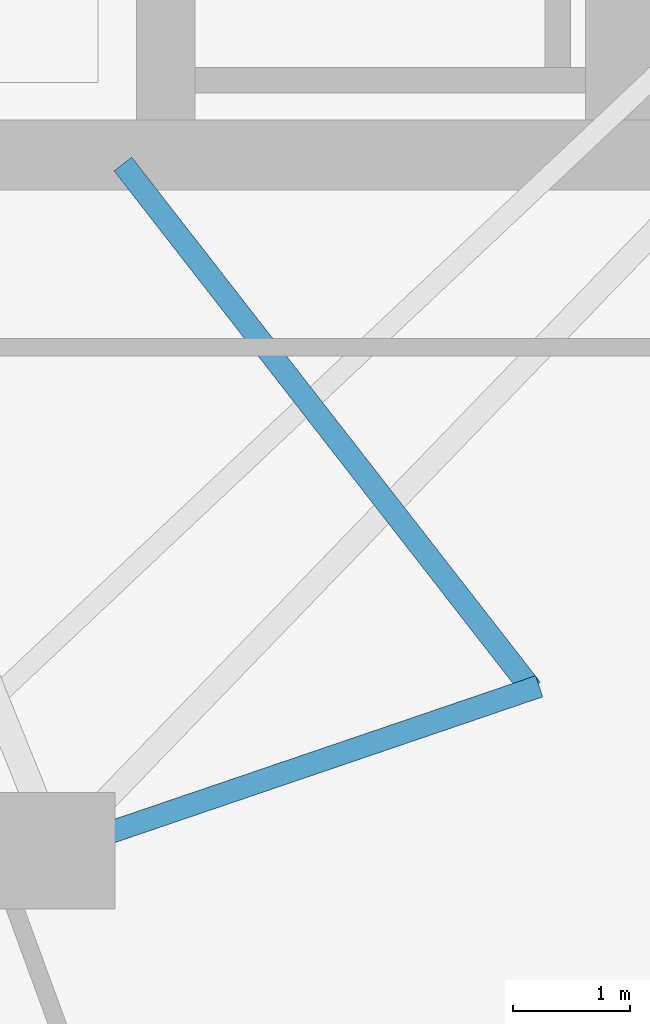
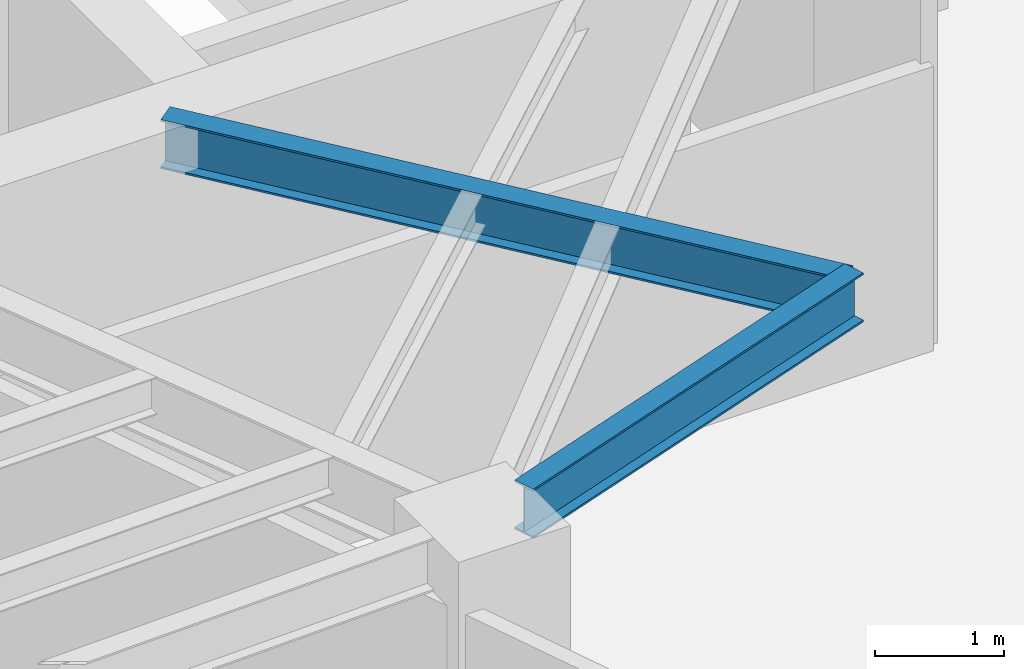
# One storey, part 5 of 21: 2 beams.
"""IFC4 building model written with IfcOpenShell, lengths in metres."""

import ifcopenshell
import ifcopenshell.guid

model = None  # the IFC model being written
_history = None  # IfcOwnerHistory: only IFC2X3 demands one
_inside = {}  # id of a spatial element -> (the spatial element, [elements in it])
_under = {}  # id of a project, library or spatial element -> (it, [spatial elements below it])
_declared = {}  # id of a project -> (the project, [libraries it declares])
_typed = {}  # id of a type object -> (the type object, [elements of that type])
_made_of = {}  # id of a material, layer set ... -> (it, [elements and type objects made of it])


def new_model(schema):
    """Start an empty IFC model of exactly this schema.

    Asked for "IFC4X3", IfcOpenShell would pick the latest addendum, in which some entities
    have other attributes; the version numbers below select the first issue.
    IFC2X3 requires an IfcOwnerHistory on every rooted entity: one is made here for all.
    """
    global model, _history
    if schema == "IFC4X3":
        model = ifcopenshell.file(schema_version=(4, 3, 0, 0))
    else:
        model = ifcopenshell.file(schema=schema)
    _inside.clear()
    _under.clear()
    _declared.clear()
    _typed.clear()
    _made_of.clear()
    _history = None
    if model.schema == "IFC2X3":
        org = make("IfcOrganization", Name="unknown")
        user = make(
            "IfcPersonAndOrganization",
            ThePerson=make("IfcPerson", FamilyName="unknown"),
            TheOrganization=org,
        )
        app = make(
            "IfcApplication",
            ApplicationDeveloper=org,
            Version="unknown",
            ApplicationFullName="unknown",
            ApplicationIdentifier="unknown",
        )
        _history = make(
            "IfcOwnerHistory",
            OwningUser=user,
            OwningApplication=app,
            ChangeAction="ADDED",
            CreationDate=0,
        )
    return model


def make(cls, **values):
    """One entity of the class cls with the attributes given. An attribute that is None is left unset."""
    return model.create_entity(
        cls, **{name: value for name, value in values.items() if value is not None}
    )


def rooted(cls, **values):
    """An entity with a GlobalId (a new one), such as an element, a storey or a relation."""
    return make(cls, GlobalId=ifcopenshell.guid.new(), OwnerHistory=_history, **values)


def si_unit(unit_type, name, prefix=None):
    """IfcSIUnit, for example si_unit("LENGTHUNIT", "METRE", prefix="MILLI")."""
    return make("IfcSIUnit", UnitType=unit_type, Prefix=prefix, Name=name)


def assignment(units):
    """IfcUnitAssignment: the units of a project."""
    return None if units is None else make("IfcUnitAssignment", Units=units)


def point(xyz):
    """IfcCartesianPoint."""
    return None if xyz is None else make("IfcCartesianPoint", Coordinates=xyz)


def direction(xyz):
    """IfcDirection."""
    return None if xyz is None else make("IfcDirection", DirectionRatios=xyz)


def frame(location, z_axis=None, x_axis=None):
    """IfcAxis2Placement3D, a coordinate frame: its origin and axes. An axis left out is left unset."""
    return make(
        "IfcAxis2Placement3D",
        Location=point(location),
        Axis=direction(z_axis),
        RefDirection=direction(x_axis),
    )


def frame_2d(location, x_axis=None):
    """IfcAxis2Placement2D, a coordinate frame in the plane: its origin and x axis."""
    return make(
        "IfcAxis2Placement2D", Location=point(location), RefDirection=direction(x_axis)
    )


def origin():
    """The frame at (0, 0, 0) with its axes left unset."""
    return frame((0.0, 0.0, 0.0))


def origin_2d():
    """The frame at (0, 0) in the plane with its x axis left unset."""
    return frame_2d((0.0, 0.0))


def place(relative_to, where):
    """IfcLocalPlacement: puts the frame where relative to a parent placement (None: the world)."""
    return make(
        "IfcLocalPlacement", PlacementRelTo=relative_to, RelativePlacement=where
    )


def context(
    kind, dimensions, precision=None, world=None, true_north=None, identifier=None
):
    """IfcGeometricRepresentationContext, for example the 3D "Model" context."""
    return make(
        "IfcGeometricRepresentationContext",
        ContextIdentifier=identifier,
        ContextType=kind,
        CoordinateSpaceDimension=dimensions,
        Precision=precision,
        WorldCoordinateSystem=world,
        TrueNorth=true_north,
    )


def subcontext(parent, identifier, kind, view, scale=None):
    """IfcGeometricRepresentationSubContext, for example "Body" below "Model"."""
    return make(
        "IfcGeometricRepresentationSubContext",
        ContextIdentifier=identifier,
        ContextType=kind,
        ParentContext=parent,
        TargetScale=scale,
        TargetView=view,
    )


def project(units=None, contexts=None):
    """IfcProject with its units and contexts."""
    return rooted(
        "IfcProject",
        Name="project",
        RepresentationContexts=contexts,
        UnitsInContext=assignment(units),
    )


def spatial(cls, under=None, at=None, **own):
    """A site, building, storey or space (cls), placed at a placement, below another one or the project."""
    s = rooted(cls, ObjectPlacement=at, **own)
    if under is not None:
        _under.setdefault(under.id(), (under, []))[1].append(s)
    return s


def profile(cls, at=None, kind="AREA", **sizes):
    """A parametric profile (cls). Its sizes go by their IFC names, for example OverallWidth=200.0."""
    return make(cls, ProfileType=kind, Position=at, **sizes)


def i_section(**sizes):
    """IfcIShapeProfileDef."""
    return profile("IfcIShapeProfileDef", **sizes)


def extrude(swept, where, along, depth):
    """IfcExtrudedAreaSolid: the profile swept, set in the frame where, extruded along a direction by depth."""
    return make(
        "IfcExtrudedAreaSolid",
        SweptArea=swept,
        Position=where,
        ExtrudedDirection=direction(along),
        Depth=depth,
    )


def shape(context_of_items, identifier, shape_type, items):
    """IfcShapeRepresentation: the items that make up one representation, for example the "Body"."""
    return make(
        "IfcShapeRepresentation",
        ContextOfItems=context_of_items,
        RepresentationIdentifier=identifier,
        RepresentationType=shape_type,
        Items=items,
    )


def material(Name=None, Category=None):
    """IfcMaterial."""
    return make("IfcMaterial", Name=Name, Category=Category)


def material_profile(
    of_material, cross_section, Name=None, Category=None, Priority=None
):
    """IfcMaterialProfile: a cross section and its material."""
    return make(
        "IfcMaterialProfile",
        Name=Name,
        Material=of_material,
        Profile=cross_section,
        Priority=Priority,
        Category=Category,
    )


def profile_set(profiles, Name=None, composite=None):
    """IfcMaterialProfileSet."""
    return make(
        "IfcMaterialProfileSet",
        Name=Name,
        MaterialProfiles=profiles,
        CompositeProfile=composite,
    )


def made_of(thing, what):
    """Note that an element or type object is made of a material, layer set ...; save() writes the relation."""
    if what is not None:
        _made_of.setdefault(what.id(), (what, []))[1].append(thing)
    return thing


def type_object(cls, material=None, **own):
    """A type object (cls), such as IfcWallType, which elements share."""
    return made_of(rooted(cls, **own), material)


def element(
    cls,
    number,
    at=None,
    inside=None,
    cuts=None,
    type_object=None,
    material=None,
    context=None,
    identifier="Body",
    shape_type=None,
    held_by="IfcProductDefinitionShape",
    body=None,
    shapes=None,
    **own,
):
    """One element of the class cls, such as IfcWall. Its Tag is "e" and its number.

    at: its placement. inside: the storey or other place that contains it. cuts: it is an
    opening in that element (IfcRelVoidsElement). A single representation is given by context,
    identifier, shape_type and body (its items); several are given by shapes. held_by: the class
    of the entity that holds the representations. save() writes the other relations.
    """
    e = rooted(cls, Tag="e%d" % number, ObjectPlacement=at, **own)
    if body is not None:
        shapes = [shape(context, identifier, shape_type, body)]
    if shapes is not None:
        e.Representation = make(held_by, Representations=shapes)
    if inside is not None:
        _inside.setdefault(inside.id(), (inside, []))[1].append(e)
    if cuts is not None:
        rooted(
            "IfcRelVoidsElement", RelatingBuildingElement=cuts, RelatedOpeningElement=e
        )
    if type_object is not None:
        _typed.setdefault(type_object.id(), (type_object, []))[1].append(e)
    return made_of(e, material)


def aggregate(whole, parts):
    """IfcRelAggregates: a whole, such as a stair, and the parts it consists of."""
    return rooted("IfcRelAggregates", RelatingObject=whole, RelatedObjects=parts)


def save(model, path):
    """Write the relations noted so far, then the file.

    IfcRelAggregates (storeys below a building ...), IfcRelContainedInSpatialStructure (elements
    in a storey), IfcRelDefinesByType, IfcRelAssociatesMaterial and IfcRelDeclares: one each for
    every whole, place, type object, material and project.
    """
    for whole, parts in _under.values():
        aggregate(whole, parts)
    for where, things in _inside.values():
        rooted(
            "IfcRelContainedInSpatialStructure",
            RelatedElements=things,
            RelatingStructure=where,
        )
    for kind, things in _typed.values():
        rooted("IfcRelDefinesByType", RelatedObjects=things, RelatingType=kind)
    for what, things in _made_of.values():
        rooted("IfcRelAssociatesMaterial", RelatedObjects=things, RelatingMaterial=what)
    for by, libraries in _declared.values():
        rooted("IfcRelDeclares", RelatingContext=by, RelatedDefinitions=libraries)
    model.write(path)


model = new_model("IFC4")

# Units and contexts
model_context = context("Model", 3, precision=1e-05, world=origin(), true_north=direction((0.0, 1.0)))
body_context = subcontext(model_context, "Body", "Model", "MODEL_VIEW")
ifc_project = project(units=[si_unit("LENGTHUNIT", "METRE"), si_unit("AREAUNIT", "SQUARE_METRE"), si_unit("VOLUMEUNIT", "CUBIC_METRE"), si_unit("PLANEANGLEUNIT", "RADIAN"), si_unit("MASSUNIT", "GRAM", prefix="KILO")], contexts=[model_context])

# Site, building, storey
site_placement = place(None, origin())
site = spatial("IfcSite", under=ifc_project, at=site_placement, CompositionType="ELEMENT")
building_placement = place(site_placement, origin())
building = spatial("IfcBuilding", under=site, at=building_placement, Name="Qarnah Convention Tower", CompositionType="ELEMENT")
storey_placement = place(building_placement, frame((0.0, 0.0, 165.300048828125)))
storey = spatial("IfcBuildingStorey", under=building, at=storey_placement, Name="L44", CompositionType="ELEMENT", Elevation=165.300048828125)

# Beams
ifc_material = material(Name="Structural steel S355JR", Category="steel")
ifc_material_profile = material_profile(ifc_material, i_section(OverallWidth=0.19189453125, OverallDepth=0.464111328125, WebThickness=0.010986328125, FlangeThickness=0.01806640625, at=origin_2d()), Name="W460X89")
ifc_profile_set = profile_set([ifc_material_profile], Name="Structural steel S355JR")
beam_type = type_object("IfcBeamType", Name="BM-CANT-W460A", PredefinedType="BEAM", material=ifc_profile_set)
beam_1_placement = place(storey_placement, frame((43.3310546875, 18.52099609375, 3.087890625), z_axis=(0.614224930977, -0.789130999369, 0.0), x_axis=(0.789130999369, 0.614224930977, 0.0)))
element("IfcBeam", 1, at=beam_1_placement, inside=storey, type_object=beam_type, Name="L44 beam BM-L44-CNT-03-1", PredefinedType="BEAM", context=body_context, shape_type="SweptSolid", body=[
    extrude(i_section(OverallWidth=0.19189453125, OverallDepth=0.464111328125, WebThickness=0.010986328125, FlangeThickness=0.01806640625, at=origin_2d()), origin(), (0.0, 0.0, 1.0), 5.706298828125),
])
beam_2_placement = place(storey_placement, frame((46.902099609375, 14.041015625, 3.087890625), z_axis=(-0.946581312558, -0.322465220939, 0.0), x_axis=(0.322465220939, -0.946581312558, 0.0)))
element("IfcBeam", 2, at=beam_2_placement, inside=storey, type_object=beam_type, Name="L44 spandrel BM-L44-CTIE-03", PredefinedType="SPANDREL", context=body_context, shape_type="SweptSolid", body=[
    extrude(i_section(OverallWidth=0.19189453125, OverallDepth=0.464111328125, WebThickness=0.010986328125, FlangeThickness=0.01806640625, at=origin_2d()), origin(), (0.0, 0.0, 1.0), 3.88232421875),
])

save(model, "model.ifc")
